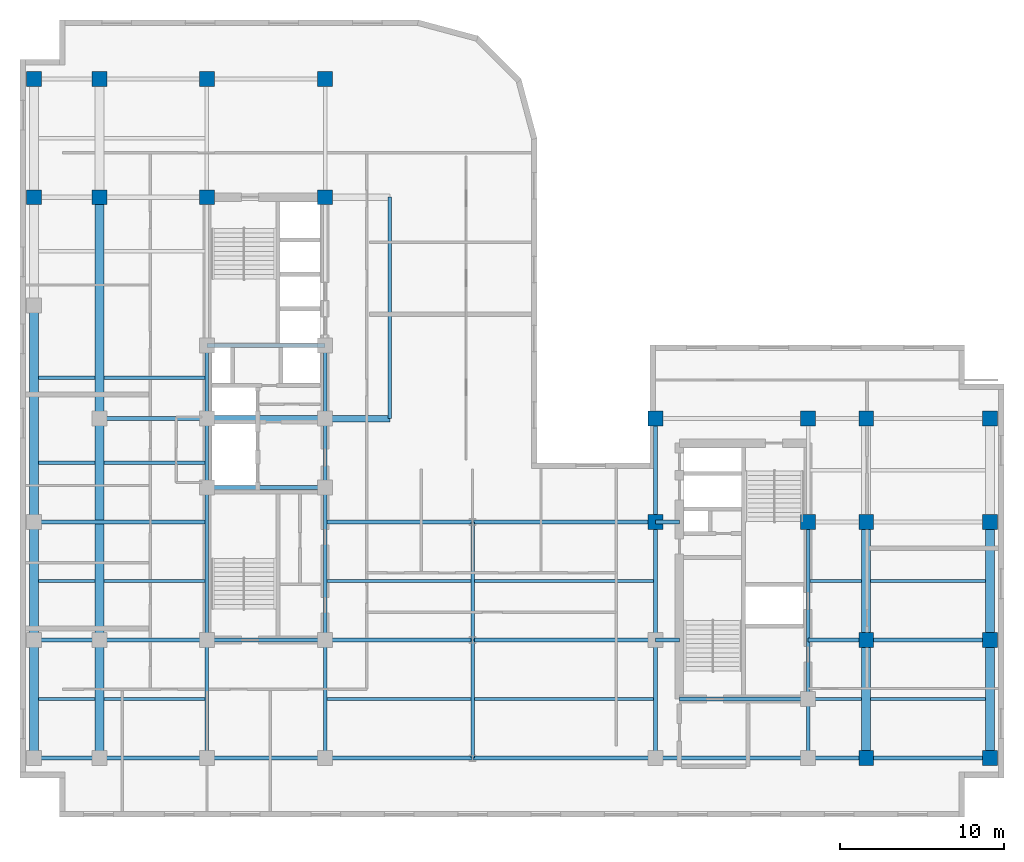
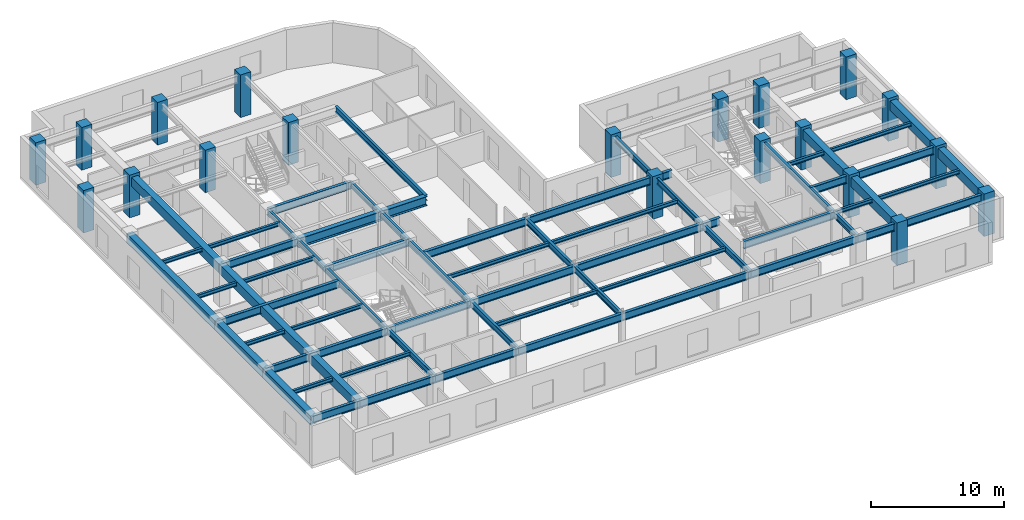
# One storey, part 2 of 11: 67 beams, 20 columns.
"""IFC4 building model written with IfcOpenShell, lengths in metres."""

from ifc_helpers import new_model, entity, si_unit, converted_unit, direction, frame, origin_with_axes, origin_2d_with_axis, place, context, subcontext, project, spatial, rectangle, i_section, extrude, material, material_profile, profile_set, type_object, element, save


model = new_model("IFC4")

# Units and contexts
model_context = context("Model", 3, precision=1e-05, world=origin_with_axes(), true_north=direction((0.0, 1.0)))
body_context = subcontext(model_context, "Body", "Model", "MODEL_VIEW")
ifc_project = project(units=[si_unit("LENGTHUNIT", "METRE"), si_unit("AREAUNIT", "SQUARE_METRE"), si_unit("VOLUMEUNIT", "CUBIC_METRE"), converted_unit("PLANEANGLEUNIT", "DEGREE", entity("IfcPlaneAngleMeasure", 0.017453292519943295), si_unit("PLANEANGLEUNIT", "RADIAN"), dimensions=[0, 0, 0, 0, 0, 0, 0]), si_unit("MASSUNIT", "GRAM", prefix="KILO"), si_unit("THERMODYNAMICTEMPERATUREUNIT", "KELVIN")], contexts=[model_context])

# Site, building, storey
site_placement = place(None, origin_with_axes())
site = spatial("IfcSite", under=ifc_project, at=site_placement, CompositionType="ELEMENT")
building_placement = place(site_placement, origin_with_axes())
building = spatial("IfcBuilding", under=site, at=building_placement, Name="Varnlund Millrace Tower", CompositionType="ELEMENT")
storey_placement = place(building_placement, frame((0.0, 0.0, 212.1), z_axis=(0.0, 0.0, 1.0), x_axis=(1.0, 0.0, 0.0)))
storey = spatial("IfcBuildingStorey", under=building, at=storey_placement, Name="L52", CompositionType="ELEMENT", Elevation=212.1)

# Columns
ifc_material_1 = material(Name="Concrete C70/85", Category="concrete")
ifc_material_profile_1 = material_profile(ifc_material_1, rectangle(XDim=0.9, YDim=0.9, at=origin_2d_with_axis()), Name="Concrete C70/85")
ifc_profile_set_1 = profile_set([ifc_material_profile_1], Name="Concrete C70/85")
column_type = type_object("IfcColumnType", Name="Type-Col-RC900-C70", PredefinedType="COLUMN", material=ifc_profile_set_1)
for number, where, z_axis, x_axis, name in (
    (1, (11.4, 37.8, 0.0), (0.0, 0.0, 1.0), (1.0, 0.0, 0.0), "Type-Col-RC900-C70"),
    (2, (11.4, 45.0, 0.0), (0.0, 0.0, 1.0), (1.0, 0.0, 0.0), "Type-Col-RC900-C70"),
    (3, (18.6, 37.8, 0.0), (0.0, 0.0, 1.0), (1.0, 0.0, 0.0), "Type-Col-RC900-C70"),
    (4, (18.6, 45.0, 0.0), (0.0, 0.0, 1.0), (1.0, 0.0, 0.0), "Type-Col-RC900-C70"),
    (5, (4.85, 37.8, 0.0), (0.0, 0.0, 1.0), (1.0, 0.0, 0.0), "Type-Col-RC900-C70"),
    (6, (4.85, 45.0, 0.0), (0.0, 0.0, 1.0), (1.0, 0.0, 0.0), "Type-Col-RC900-C70"),
    (7, (0.85, 37.8, 0.0), (0.0, 0.0, 1.0), (1.0, 0.0, 0.0), "Type-Col-RC900-C70"),
    (8, (0.85, 45.0, 0.0), (0.0, 0.0, 1.0), (1.0, 0.0, 0.0), "Type-Col-RC900-C70"),
    (9, (38.75, 18.0, 0.0), (0.0, 0.0, 1.0), (1.0, 0.0, 0.0), "Type-Col-RC900-C70"),
    (10, (38.75, 24.3, 0.0), (0.0, 0.0, 1.0), (1.0, 0.0, 0.0), "Type-Col-RC900-C70"),
    (11, (48.05, 18.0, 0.0), (0.0, 0.0, 1.0), (1.0, 0.0, 0.0), "Type-Col-RC900-C70"),
    (12, (48.05, 24.3, 0.0), (0.0, 0.0, 1.0), (1.0, 0.0, 0.0), "Type-Col-RC900-C70"),
    (13, (51.6, 3.6, 0.0), (0.0, 0.0, 1.0), (1.0, 0.0, 0.0), "Type-Col-RC900-C70"),
    (14, (51.6, 10.8, 0.0), (0.0, 0.0, 1.0), (1.0, 0.0, 0.0), "Type-Col-RC900-C70"),
    (15, (51.6, 18.0, 0.0), (0.0, 0.0, 1.0), (1.0, 0.0, 0.0), "Type-Col-RC900-C70"),
    (16, (51.6, 24.3, 0.0), (0.0, 0.0, 1.0), (1.0, 0.0, 0.0), "Type-Col-RC900-C70"),
    (17, (59.15, 3.6, 0.0), (0.0, 0.0, 1.0), (1.0, 0.0, 0.0), "Type-Col-RC900-C70"),
    (18, (59.15, 10.8, 0.0), (0.0, 0.0, 1.0), (1.0, 0.0, 0.0), "Type-Col-RC900-C70"),
    (19, (59.15, 18.0, 0.0), (0.0, 0.0, 1.0), (1.0, 0.0, 0.0), "Type-Col-RC900-C70"),
    (20, (59.15, 24.3, 0.0), (0.0, 0.0, 1.0), (1.0, 0.0, 0.0), "Type-Col-RC900-C70"),
):
    element("IfcColumn", number, at=place(storey_placement, frame(where, z_axis=z_axis, x_axis=x_axis)), inside=storey, type_object=column_type, Name=name, PredefinedType="COLUMN", context=body_context, shape_type="SweptSolid", body=[
        extrude(rectangle(XDim=0.9, YDim=0.9, at=origin_2d_with_axis()), origin_with_axes(), (0.0, 0.0, 1.0), 3.9),
    ])

# Beams
ifc_material_2 = material(Name="Steel ASTM A992 Grade 50", Category="steel")
ifc_material_profile_2 = material_profile(ifc_material_2, i_section(OverallWidth=0.209, OverallDepth=0.533, WebThickness=0.0102, FlangeThickness=0.0156, FilletRadius=0.014, at=origin_2d_with_axis()), Name="Steel ASTM A992 Grade 50")
ifc_profile_set_2 = profile_set([ifc_material_profile_2], Name="Steel ASTM A992 Grade 50")
beam_type_1 = type_object("IfcBeamType", Name="Type-Beam-W21X62", PredefinedType="BEAM", material=ifc_profile_set_2)
beam_1_placement = place(storey_placement, frame((22.55, 24.3, 3.3935), z_axis=(0.0, 1.0, 0.0), x_axis=(-1.0, 0.0, 0.0)))
element("IfcBeam", 21, at=beam_1_placement, inside=storey, type_object=beam_type_1, Name="Type-Beam-W21X62", PredefinedType="BEAM", context=body_context, shape_type="SweptSolid", body=[
    extrude(i_section(OverallWidth=0.209, OverallDepth=0.533, WebThickness=0.0102, FlangeThickness=0.0156, FilletRadius=0.014, at=origin_2d_with_axis()), origin_with_axes(), (0.0, 0.0, 1.0), 13.5),
])
ifc_material_profile_3 = material_profile(ifc_material_2, i_section(OverallWidth=0.214, OverallDepth=0.549, WebThickness=0.0147, FlangeThickness=0.0236, FilletRadius=0.015, at=origin_2d_with_axis()), Name="Steel ASTM A992 Grade 50")
ifc_profile_set_3 = profile_set([ifc_material_profile_3], Name="Steel ASTM A992 Grade 50")
beam_type_2 = type_object("IfcBeamType", Name="Type-Beam-W21X93", PredefinedType="BEAM", material=ifc_profile_set_3)
beam_2_placement = place(storey_placement, frame((11.4, 3.6, 3.3855), z_axis=(0.0, 1.0, 0.0), x_axis=(-1.0, 0.0, 0.0)))
element("IfcBeam", 22, at=beam_2_placement, inside=storey, type_object=beam_type_2, Name="Type-Beam-W21X93", PredefinedType="BEAM", context=body_context, shape_type="SweptSolid", body=[
    extrude(i_section(OverallWidth=0.214, OverallDepth=0.549, WebThickness=0.0147, FlangeThickness=0.0236, FilletRadius=0.015, at=origin_2d_with_axis()), origin_with_axes(), (0.0, 0.0, 1.0), 7.2),
])
beam_3_placement = place(storey_placement, frame((11.4, 10.8, 3.3855), z_axis=(0.0, 1.0, 0.0), x_axis=(-1.0, 0.0, 0.0)))
element("IfcBeam", 23, at=beam_3_placement, inside=storey, type_object=beam_type_2, Name="Type-Beam-W21X93", PredefinedType="BEAM", context=body_context, shape_type="SweptSolid", body=[
    extrude(i_section(OverallWidth=0.214, OverallDepth=0.549, WebThickness=0.0147, FlangeThickness=0.0236, FilletRadius=0.015, at=origin_2d_with_axis()), origin_with_axes(), (0.0, 0.0, 1.0), 9.3),
])
beam_4_placement = place(storey_placement, frame((11.4, 20.1, 3.3855), z_axis=(0.0, 1.0, 0.0), x_axis=(-1.0, 0.0, 0.0)))
element("IfcBeam", 24, at=beam_4_placement, inside=storey, type_object=beam_type_2, Name="Type-Beam-W21X93", PredefinedType="BEAM", context=body_context, shape_type="SweptSolid", body=[
    extrude(i_section(OverallWidth=0.214, OverallDepth=0.549, WebThickness=0.0147, FlangeThickness=0.0236, FilletRadius=0.015, at=origin_2d_with_axis()), origin_with_axes(), (0.0, 0.0, 1.0), 4.2),
])
beam_5_placement = place(storey_placement, frame((11.4, 24.3, 3.3855), z_axis=(0.0, 1.0, 0.0), x_axis=(-1.0, 0.0, 0.0)))
element("IfcBeam", 25, at=beam_5_placement, inside=storey, type_object=beam_type_2, Name="Type-Beam-W21X93", PredefinedType="BEAM", context=body_context, shape_type="SweptSolid", body=[
    extrude(i_section(OverallWidth=0.214, OverallDepth=0.549, WebThickness=0.0147, FlangeThickness=0.0236, FilletRadius=0.015, at=origin_2d_with_axis()), origin_with_axes(), (0.0, 0.0, 1.0), 4.45),
])
beam_6_placement = place(storey_placement, frame((18.6, 3.6, 3.3855), z_axis=(0.0, 1.0, 0.0), x_axis=(-1.0, 0.0, 0.0)))
element("IfcBeam", 26, at=beam_6_placement, inside=storey, type_object=beam_type_2, Name="Type-Beam-W21X93", PredefinedType="BEAM", context=body_context, shape_type="SweptSolid", body=[
    extrude(i_section(OverallWidth=0.214, OverallDepth=0.549, WebThickness=0.0147, FlangeThickness=0.0236, FilletRadius=0.015, at=origin_2d_with_axis()), origin_with_axes(), (0.0, 0.0, 1.0), 7.2),
])
beam_7_placement = place(storey_placement, frame((18.6, 10.8, 3.3855), z_axis=(0.0, 1.0, 0.0), x_axis=(-1.0, 0.0, 0.0)))
element("IfcBeam", 27, at=beam_7_placement, inside=storey, type_object=beam_type_2, Name="Type-Beam-W21X93", PredefinedType="BEAM", context=body_context, shape_type="SweptSolid", body=[
    extrude(i_section(OverallWidth=0.214, OverallDepth=0.549, WebThickness=0.0147, FlangeThickness=0.0236, FilletRadius=0.015, at=origin_2d_with_axis()), origin_with_axes(), (0.0, 0.0, 1.0), 9.3),
])
beam_8_placement = place(storey_placement, frame((18.6, 20.1, 3.3855), z_axis=(0.0, 1.0, 0.0), x_axis=(-1.0, 0.0, 0.0)))
element("IfcBeam", 28, at=beam_8_placement, inside=storey, type_object=beam_type_2, Name="Type-Beam-W21X93", PredefinedType="BEAM", context=body_context, shape_type="SweptSolid", body=[
    extrude(i_section(OverallWidth=0.214, OverallDepth=0.549, WebThickness=0.0147, FlangeThickness=0.0236, FilletRadius=0.015, at=origin_2d_with_axis()), origin_with_axes(), (0.0, 0.0, 1.0), 4.2),
])
beam_9_placement = place(storey_placement, frame((18.6, 24.3, 3.3855), z_axis=(0.0, 1.0, 0.0), x_axis=(-1.0, 0.0, 0.0)))
element("IfcBeam", 29, at=beam_9_placement, inside=storey, type_object=beam_type_2, Name="Type-Beam-W21X93", PredefinedType="BEAM", context=body_context, shape_type="SweptSolid", body=[
    extrude(i_section(OverallWidth=0.214, OverallDepth=0.549, WebThickness=0.0147, FlangeThickness=0.0236, FilletRadius=0.015, at=origin_2d_with_axis()), origin_with_axes(), (0.0, 0.0, 1.0), 4.45),
])
for number, where, z_axis, x_axis, name in (
    (30, (27.6, 3.6, 3.3855), (0.0, 1.0, 0.0), (-1.0, 0.0, 0.0), "Type-Beam-W21X93"),
    (31, (27.6, 10.8, 3.3855), (0.0, 1.0, 0.0), (-1.0, 0.0, 0.0), "Type-Beam-W21X93"),
    (32, (38.75, 3.6, 3.3855), (0.0, 1.0, 0.0), (-1.0, 0.0, 0.0), "Type-Beam-W21X93"),
    (33, (38.75, 10.8, 3.3855), (0.0, 1.0, 0.0), (-1.0, 0.0, 0.0), "Type-Beam-W21X93"),
):
    element("IfcBeam", number, at=place(storey_placement, frame(where, z_axis=z_axis, x_axis=x_axis)), inside=storey, type_object=beam_type_2, Name=name, PredefinedType="BEAM", context=body_context, shape_type="SweptSolid", body=[
        extrude(i_section(OverallWidth=0.214, OverallDepth=0.549, WebThickness=0.0147, FlangeThickness=0.0236, FilletRadius=0.015, at=origin_2d_with_axis()), origin_with_axes(), (0.0, 0.0, 1.0), 7.2),
    ])
beam_10_placement = place(storey_placement, frame((38.75, 18.0, 3.3855), z_axis=(0.0, 1.0, 0.0), x_axis=(-1.0, 0.0, 0.0)))
element("IfcBeam", 34, at=beam_10_placement, inside=storey, type_object=beam_type_2, Name="Type-Beam-W21X93", PredefinedType="BEAM", context=body_context, shape_type="SweptSolid", body=[
    extrude(i_section(OverallWidth=0.214, OverallDepth=0.549, WebThickness=0.0147, FlangeThickness=0.0236, FilletRadius=0.015, at=origin_2d_with_axis()), origin_with_axes(), (0.0, 0.0, 1.0), 6.3),
])
beam_11_placement = place(storey_placement, frame((48.05, 3.6, 3.3855), z_axis=(0.0, 1.0, 0.0), x_axis=(-1.0, 0.0, 0.0)))
element("IfcBeam", 35, at=beam_11_placement, inside=storey, type_object=beam_type_2, Name="Type-Beam-W21X93", PredefinedType="BEAM", context=body_context, shape_type="SweptSolid", body=[
    extrude(i_section(OverallWidth=0.214, OverallDepth=0.549, WebThickness=0.0147, FlangeThickness=0.0236, FilletRadius=0.015, at=origin_2d_with_axis()), origin_with_axes(), (0.0, 0.0, 1.0), 3.6),
])
beam_12_placement = place(storey_placement, frame((48.05, 7.2, 3.3855), z_axis=(0.0, 1.0, 0.0), x_axis=(-1.0, 0.0, 0.0)))
element("IfcBeam", 36, at=beam_12_placement, inside=storey, type_object=beam_type_2, Name="Type-Beam-W21X93", PredefinedType="BEAM", context=body_context, shape_type="SweptSolid", body=[
    extrude(i_section(OverallWidth=0.214, OverallDepth=0.549, WebThickness=0.0147, FlangeThickness=0.0236, FilletRadius=0.015, at=origin_2d_with_axis()), origin_with_axes(), (0.0, 0.0, 1.0), 10.8),
])
ifc_material_profile_4 = material_profile(ifc_material_2, i_section(OverallWidth=0.256, OverallDepth=0.693, WebThickness=0.0145, FlangeThickness=0.0236, FilletRadius=0.018, at=origin_2d_with_axis()), Name="Steel ASTM A992 Grade 50")
ifc_profile_set_4 = profile_set([ifc_material_profile_4], Name="Steel ASTM A992 Grade 50")
beam_type_3 = type_object("IfcBeamType", Name="Type-Girder-W27X114", PredefinedType="USERDEFINED", material=ifc_profile_set_4)
beam_13_placement = place(storey_placement, frame((0.85, 3.6, 3.3135), z_axis=(1.0, 0.0, 0.0), x_axis=(0.0, 1.0, 0.0)))
element("IfcBeam", 37, at=beam_13_placement, inside=storey, type_object=beam_type_3, Name="Type-Girder-W27X114", ObjectType="GIRDER", PredefinedType="USERDEFINED", context=body_context, shape_type="SweptSolid", body=[
    extrude(i_section(OverallWidth=0.256, OverallDepth=0.693, WebThickness=0.0145, FlangeThickness=0.0236, FilletRadius=0.018, at=origin_2d_with_axis()), origin_with_axes(), (0.0, 0.0, 1.0), 4.0),
])
beam_14_placement = place(storey_placement, frame((4.85, 3.6, 3.3135), z_axis=(1.0, 0.0, 0.0), x_axis=(0.0, 1.0, 0.0)))
element("IfcBeam", 38, at=beam_14_placement, inside=storey, type_object=beam_type_3, Name="Type-Girder-W27X114", ObjectType="GIRDER", PredefinedType="USERDEFINED", context=body_context, shape_type="SweptSolid", body=[
    extrude(i_section(OverallWidth=0.256, OverallDepth=0.693, WebThickness=0.0145, FlangeThickness=0.0236, FilletRadius=0.018, at=origin_2d_with_axis()), origin_with_axes(), (0.0, 0.0, 1.0), 6.55),
])
beam_15_placement = place(storey_placement, frame((11.4, 3.6, 3.3135), z_axis=(1.0, 0.0, 0.0), x_axis=(0.0, 1.0, 0.0)))
element("IfcBeam", 39, at=beam_15_placement, inside=storey, type_object=beam_type_3, Name="Type-Girder-W27X114", ObjectType="GIRDER", PredefinedType="USERDEFINED", context=body_context, shape_type="SweptSolid", body=[
    extrude(i_section(OverallWidth=0.256, OverallDepth=0.693, WebThickness=0.0145, FlangeThickness=0.0236, FilletRadius=0.018, at=origin_2d_with_axis()), origin_with_axes(), (0.0, 0.0, 1.0), 7.2),
])
beam_16_placement = place(storey_placement, frame((18.6, 3.6, 3.3135), z_axis=(1.0, 0.0, 0.0), x_axis=(0.0, 1.0, 0.0)))
element("IfcBeam", 40, at=beam_16_placement, inside=storey, type_object=beam_type_3, Name="Type-Girder-W27X114", ObjectType="GIRDER", PredefinedType="USERDEFINED", context=body_context, shape_type="SweptSolid", body=[
    extrude(i_section(OverallWidth=0.256, OverallDepth=0.693, WebThickness=0.0145, FlangeThickness=0.0236, FilletRadius=0.018, at=origin_2d_with_axis()), origin_with_axes(), (0.0, 0.0, 1.0), 9.0),
])
beam_17_placement = place(storey_placement, frame((27.6, 3.6, 3.3135), z_axis=(1.0, 0.0, 0.0), x_axis=(0.0, 1.0, 0.0)))
element("IfcBeam", 41, at=beam_17_placement, inside=storey, type_object=beam_type_3, Name="Type-Girder-W27X114", ObjectType="GIRDER", PredefinedType="USERDEFINED", context=body_context, shape_type="SweptSolid", body=[
    extrude(i_section(OverallWidth=0.256, OverallDepth=0.693, WebThickness=0.0145, FlangeThickness=0.0236, FilletRadius=0.018, at=origin_2d_with_axis()), origin_with_axes(), (0.0, 0.0, 1.0), 11.15),
])
beam_18_placement = place(storey_placement, frame((38.75, 3.6, 3.3135), z_axis=(1.0, 0.0, 0.0), x_axis=(0.0, 1.0, 0.0)))
element("IfcBeam", 42, at=beam_18_placement, inside=storey, type_object=beam_type_3, Name="Type-Girder-W27X114", ObjectType="GIRDER", PredefinedType="USERDEFINED", context=body_context, shape_type="SweptSolid", body=[
    extrude(i_section(OverallWidth=0.256, OverallDepth=0.693, WebThickness=0.0145, FlangeThickness=0.0236, FilletRadius=0.018, at=origin_2d_with_axis()), origin_with_axes(), (0.0, 0.0, 1.0), 9.3),
])
beam_19_placement = place(storey_placement, frame((48.05, 3.6, 3.3135), z_axis=(1.0, 0.0, 0.0), x_axis=(0.0, 1.0, 0.0)))
element("IfcBeam", 43, at=beam_19_placement, inside=storey, type_object=beam_type_3, Name="Type-Girder-W27X114", ObjectType="GIRDER", PredefinedType="USERDEFINED", context=body_context, shape_type="SweptSolid", body=[
    extrude(i_section(OverallWidth=0.256, OverallDepth=0.693, WebThickness=0.0145, FlangeThickness=0.0236, FilletRadius=0.018, at=origin_2d_with_axis()), origin_with_axes(), (0.0, 0.0, 1.0), 3.55),
])
beam_20_placement = place(storey_placement, frame((51.6, 3.6, 3.3135), z_axis=(1.0, 0.0, 0.0), x_axis=(0.0, 1.0, 0.0)))
element("IfcBeam", 44, at=beam_20_placement, inside=storey, type_object=beam_type_3, Name="Type-Girder-W27X114", ObjectType="GIRDER", PredefinedType="USERDEFINED", context=body_context, shape_type="SweptSolid", body=[
    extrude(i_section(OverallWidth=0.256, OverallDepth=0.693, WebThickness=0.0145, FlangeThickness=0.0236, FilletRadius=0.018, at=origin_2d_with_axis()), origin_with_axes(), (0.0, 0.0, 1.0), 7.55),
])
beam_21_placement = place(storey_placement, frame((40.2, 7.2, 3.3135), z_axis=(1.0, 0.0, 0.0), x_axis=(0.0, 1.0, 0.0)))
element("IfcBeam", 45, at=beam_21_placement, inside=storey, type_object=beam_type_3, Name="Type-Girder-W27X114", ObjectType="GIRDER", PredefinedType="USERDEFINED", context=body_context, shape_type="SweptSolid", body=[
    extrude(i_section(OverallWidth=0.256, OverallDepth=0.693, WebThickness=0.0145, FlangeThickness=0.0236, FilletRadius=0.018, at=origin_2d_with_axis()), origin_with_axes(), (0.0, 0.0, 1.0), 7.85),
])
beam_22_placement = place(storey_placement, frame((0.85, 10.8, 3.3135), z_axis=(1.0, 0.0, 0.0), x_axis=(0.0, 1.0, 0.0)))
element("IfcBeam", 46, at=beam_22_placement, inside=storey, type_object=beam_type_3, Name="Type-Girder-W27X114", ObjectType="GIRDER", PredefinedType="USERDEFINED", context=body_context, shape_type="SweptSolid", body=[
    extrude(i_section(OverallWidth=0.256, OverallDepth=0.693, WebThickness=0.0145, FlangeThickness=0.0236, FilletRadius=0.018, at=origin_2d_with_axis()), origin_with_axes(), (0.0, 0.0, 1.0), 4.0),
])
beam_23_placement = place(storey_placement, frame((4.85, 10.8, 3.3135), z_axis=(1.0, 0.0, 0.0), x_axis=(0.0, 1.0, 0.0)))
element("IfcBeam", 47, at=beam_23_placement, inside=storey, type_object=beam_type_3, Name="Type-Girder-W27X114", ObjectType="GIRDER", PredefinedType="USERDEFINED", context=body_context, shape_type="SweptSolid", body=[
    extrude(i_section(OverallWidth=0.256, OverallDepth=0.693, WebThickness=0.0145, FlangeThickness=0.0236, FilletRadius=0.018, at=origin_2d_with_axis()), origin_with_axes(), (0.0, 0.0, 1.0), 6.55),
])
beam_24_placement = place(storey_placement, frame((11.4, 10.8, 3.3135), z_axis=(1.0, 0.0, 0.0), x_axis=(0.0, 1.0, 0.0)))
element("IfcBeam", 48, at=beam_24_placement, inside=storey, type_object=beam_type_3, Name="Type-Girder-W27X114", ObjectType="GIRDER", PredefinedType="USERDEFINED", context=body_context, shape_type="SweptSolid", body=[
    extrude(i_section(OverallWidth=0.256, OverallDepth=0.693, WebThickness=0.0145, FlangeThickness=0.0236, FilletRadius=0.018, at=origin_2d_with_axis()), origin_with_axes(), (0.0, 0.0, 1.0), 7.2),
])
beam_25_placement = place(storey_placement, frame((18.6, 10.8, 3.3135), z_axis=(1.0, 0.0, 0.0), x_axis=(0.0, 1.0, 0.0)))
element("IfcBeam", 49, at=beam_25_placement, inside=storey, type_object=beam_type_3, Name="Type-Girder-W27X114", ObjectType="GIRDER", PredefinedType="USERDEFINED", context=body_context, shape_type="SweptSolid", body=[
    extrude(i_section(OverallWidth=0.256, OverallDepth=0.693, WebThickness=0.0145, FlangeThickness=0.0236, FilletRadius=0.018, at=origin_2d_with_axis()), origin_with_axes(), (0.0, 0.0, 1.0), 9.0),
])
beam_26_placement = place(storey_placement, frame((27.6, 10.8, 3.3135), z_axis=(1.0, 0.0, 0.0), x_axis=(0.0, 1.0, 0.0)))
element("IfcBeam", 50, at=beam_26_placement, inside=storey, type_object=beam_type_3, Name="Type-Girder-W27X114", ObjectType="GIRDER", PredefinedType="USERDEFINED", context=body_context, shape_type="SweptSolid", body=[
    extrude(i_section(OverallWidth=0.256, OverallDepth=0.693, WebThickness=0.0145, FlangeThickness=0.0236, FilletRadius=0.018, at=origin_2d_with_axis()), origin_with_axes(), (0.0, 0.0, 1.0), 11.15),
])
beam_27_placement = place(storey_placement, frame((38.75, 10.8, 3.3135), z_axis=(1.0, 0.0, 0.0), x_axis=(0.0, 1.0, 0.0)))
element("IfcBeam", 51, at=beam_27_placement, inside=storey, type_object=beam_type_3, Name="Type-Girder-W27X114", ObjectType="GIRDER", PredefinedType="USERDEFINED", context=body_context, shape_type="SweptSolid", body=[
    extrude(i_section(OverallWidth=0.256, OverallDepth=0.693, WebThickness=0.0145, FlangeThickness=0.0236, FilletRadius=0.018, at=origin_2d_with_axis()), origin_with_axes(), (0.0, 0.0, 1.0), 1.45),
])
beam_28_placement = place(storey_placement, frame((48.05, 10.8, 3.3135), z_axis=(1.0, 0.0, 0.0), x_axis=(0.0, 1.0, 0.0)))
element("IfcBeam", 52, at=beam_28_placement, inside=storey, type_object=beam_type_3, Name="Type-Girder-W27X114", ObjectType="GIRDER", PredefinedType="USERDEFINED", context=body_context, shape_type="SweptSolid", body=[
    extrude(i_section(OverallWidth=0.256, OverallDepth=0.693, WebThickness=0.0145, FlangeThickness=0.0236, FilletRadius=0.018, at=origin_2d_with_axis()), origin_with_axes(), (0.0, 0.0, 1.0), 3.55),
])
beam_29_placement = place(storey_placement, frame((51.6, 10.8, 3.3135), z_axis=(1.0, 0.0, 0.0), x_axis=(0.0, 1.0, 0.0)))
element("IfcBeam", 53, at=beam_29_placement, inside=storey, type_object=beam_type_3, Name="Type-Girder-W27X114", ObjectType="GIRDER", PredefinedType="USERDEFINED", context=body_context, shape_type="SweptSolid", body=[
    extrude(i_section(OverallWidth=0.256, OverallDepth=0.693, WebThickness=0.0145, FlangeThickness=0.0236, FilletRadius=0.018, at=origin_2d_with_axis()), origin_with_axes(), (0.0, 0.0, 1.0), 7.55),
])
beam_30_placement = place(storey_placement, frame((0.85, 18.0, 3.3135), z_axis=(1.0, 0.0, 0.0), x_axis=(0.0, 1.0, 0.0)))
element("IfcBeam", 54, at=beam_30_placement, inside=storey, type_object=beam_type_3, Name="Type-Girder-W27X114", ObjectType="GIRDER", PredefinedType="USERDEFINED", context=body_context, shape_type="SweptSolid", body=[
    extrude(i_section(OverallWidth=0.256, OverallDepth=0.693, WebThickness=0.0145, FlangeThickness=0.0236, FilletRadius=0.018, at=origin_2d_with_axis()), origin_with_axes(), (0.0, 0.0, 1.0), 10.55),
])
beam_31_placement = place(storey_placement, frame((18.6, 18.0, 3.3135), z_axis=(1.0, 0.0, 0.0), x_axis=(0.0, 1.0, 0.0)))
element("IfcBeam", 55, at=beam_31_placement, inside=storey, type_object=beam_type_3, Name="Type-Girder-W27X114", ObjectType="GIRDER", PredefinedType="USERDEFINED", context=body_context, shape_type="SweptSolid", body=[
    extrude(i_section(OverallWidth=0.256, OverallDepth=0.693, WebThickness=0.0145, FlangeThickness=0.0236, FilletRadius=0.018, at=origin_2d_with_axis()), origin_with_axes(), (0.0, 0.0, 1.0), 9.0),
])
beam_32_placement = place(storey_placement, frame((27.6, 18.0, 3.3135), z_axis=(1.0, 0.0, 0.0), x_axis=(0.0, 1.0, 0.0)))
element("IfcBeam", 56, at=beam_32_placement, inside=storey, type_object=beam_type_3, Name="Type-Girder-W27X114", ObjectType="GIRDER", PredefinedType="USERDEFINED", context=body_context, shape_type="SweptSolid", body=[
    extrude(i_section(OverallWidth=0.256, OverallDepth=0.693, WebThickness=0.0145, FlangeThickness=0.0236, FilletRadius=0.018, at=origin_2d_with_axis()), origin_with_axes(), (0.0, 0.0, 1.0), 11.15),
])
beam_33_placement = place(storey_placement, frame((38.75, 18.0, 3.3135), z_axis=(1.0, 0.0, 0.0), x_axis=(0.0, 1.0, 0.0)))
element("IfcBeam", 57, at=beam_33_placement, inside=storey, type_object=beam_type_3, Name="Type-Girder-W27X114", ObjectType="GIRDER", PredefinedType="USERDEFINED", context=body_context, shape_type="SweptSolid", body=[
    extrude(i_section(OverallWidth=0.256, OverallDepth=0.693, WebThickness=0.0145, FlangeThickness=0.0236, FilletRadius=0.018, at=origin_2d_with_axis()), origin_with_axes(), (0.0, 0.0, 1.0), 1.45),
])
beam_34_placement = place(storey_placement, frame((11.4, 20.1, 3.3135), z_axis=(1.0, 0.0, 0.0), x_axis=(0.0, 1.0, 0.0)))
element("IfcBeam", 58, at=beam_34_placement, inside=storey, type_object=beam_type_3, Name="Type-Girder-W27X114", ObjectType="GIRDER", PredefinedType="USERDEFINED", context=body_context, shape_type="SweptSolid", body=[
    extrude(i_section(OverallWidth=0.256, OverallDepth=0.693, WebThickness=0.0145, FlangeThickness=0.0236, FilletRadius=0.018, at=origin_2d_with_axis()), origin_with_axes(), (0.0, 0.0, 1.0), 7.2),
])
beam_35_placement = place(storey_placement, frame((4.85, 24.3, 3.3135), z_axis=(1.0, 0.0, 0.0), x_axis=(0.0, 1.0, 0.0)))
element("IfcBeam", 59, at=beam_35_placement, inside=storey, type_object=beam_type_3, Name="Type-Girder-W27X114", ObjectType="GIRDER", PredefinedType="USERDEFINED", context=body_context, shape_type="SweptSolid", body=[
    extrude(i_section(OverallWidth=0.256, OverallDepth=0.693, WebThickness=0.0145, FlangeThickness=0.0236, FilletRadius=0.018, at=origin_2d_with_axis()), origin_with_axes(), (0.0, 0.0, 1.0), 6.55),
])
beam_36_placement = place(storey_placement, frame((11.4, 28.75, 3.3135), z_axis=(1.0, 0.0, 0.0), x_axis=(0.0, 1.0, 0.0)))
element("IfcBeam", 60, at=beam_36_placement, inside=storey, type_object=beam_type_3, Name="Type-Girder-W27X114", ObjectType="GIRDER", PredefinedType="USERDEFINED", context=body_context, shape_type="SweptSolid", body=[
    extrude(i_section(OverallWidth=0.256, OverallDepth=0.693, WebThickness=0.0145, FlangeThickness=0.0236, FilletRadius=0.018, at=origin_2d_with_axis()), origin_with_axes(), (0.0, 0.0, 1.0), 7.2),
])
ifc_material_profile_5 = material_profile(ifc_material_2, i_section(OverallWidth=0.399, OverallDepth=0.855, WebThickness=0.0182, FlangeThickness=0.0292, FilletRadius=0.022, at=origin_2d_with_axis()), Name="Steel ASTM A992 Grade 50")
ifc_profile_set_5 = profile_set([ifc_material_profile_5], Name="Steel ASTM A992 Grade 50")
beam_type_4 = type_object("IfcBeamType", Name="Type-Girder-W33X201", PredefinedType="USERDEFINED", material=ifc_profile_set_5)
beam_37_placement = place(storey_placement, frame((11.4, 24.3, 3.2325), z_axis=(1.0, 0.0, 0.0), x_axis=(0.0, 1.0, 0.0)))
element("IfcBeam", 61, at=beam_37_placement, inside=storey, type_object=beam_type_4, Name="Type-Girder-W33X201", ObjectType="GIRDER", PredefinedType="USERDEFINED", context=body_context, shape_type="SweptSolid", body=[
    extrude(i_section(OverallWidth=0.399, OverallDepth=0.855, WebThickness=0.0182, FlangeThickness=0.0292, FilletRadius=0.022, at=origin_2d_with_axis()), origin_with_axes(), (0.0, 0.0, 1.0), 11.15),
])
ifc_material_profile_6 = material_profile(ifc_material_2, i_section(OverallWidth=0.204, OverallDepth=0.35, WebThickness=0.0086, FlangeThickness=0.0151, FilletRadius=0.013, at=origin_2d_with_axis()), Name="Steel ASTM A992 Grade 50")
ifc_profile_set_6 = profile_set([ifc_material_profile_6], Name="Steel ASTM A992 Grade 50")
beam_type_5 = type_object("IfcBeamType", Name="Type-Joist-W14X48", PredefinedType="JOIST", material=ifc_profile_set_6)
for number, where, z_axis, x_axis, name in (
    (62, (1.125, 7.2, 3.485), (1.0, 0.0, 0.0), (0.0, 1.0, 0.0), "Type-Joist-W14X48"),
    (63, (1.125, 14.4, 3.485), (1.0, 0.0, 0.0), (0.0, 1.0, 0.0), "Type-Joist-W14X48"),
    (64, (1.125, 21.6, 3.485), (1.0, 0.0, 0.0), (0.0, 1.0, 0.0), "Type-Joist-W14X48"),
    (65, (1.125, 26.8, 3.485), (1.0, 0.0, 0.0), (0.0, 1.0, 0.0), "Type-Joist-W14X48"),
):
    element("IfcBeam", number, at=place(storey_placement, frame(where, z_axis=z_axis, x_axis=x_axis)), inside=storey, type_object=beam_type_5, Name=name, PredefinedType="JOIST", context=body_context, shape_type="SweptSolid", body=[
        extrude(i_section(OverallWidth=0.204, OverallDepth=0.35, WebThickness=0.0086, FlangeThickness=0.0151, FilletRadius=0.013, at=origin_2d_with_axis()), origin_with_axes(), (0.0, 0.0, 1.0), 3.45),
    ])
for number, where, z_axis, x_axis, name in (
    (66, (5.125, 7.2, 3.485), (1.0, 0.0, 0.0), (0.0, 1.0, 0.0), "Type-Joist-W14X48"),
    (67, (5.125, 14.4, 3.485), (1.0, 0.0, 0.0), (0.0, 1.0, 0.0), "Type-Joist-W14X48"),
    (68, (5.125, 21.6, 3.485), (1.0, 0.0, 0.0), (0.0, 1.0, 0.0), "Type-Joist-W14X48"),
    (69, (5.125, 26.8, 3.485), (1.0, 0.0, 0.0), (0.0, 1.0, 0.0), "Type-Joist-W14X48"),
):
    element("IfcBeam", number, at=place(storey_placement, frame(where, z_axis=z_axis, x_axis=x_axis)), inside=storey, type_object=beam_type_5, Name=name, PredefinedType="JOIST", context=body_context, shape_type="SweptSolid", body=[
        extrude(i_section(OverallWidth=0.204, OverallDepth=0.35, WebThickness=0.0086, FlangeThickness=0.0151, FilletRadius=0.013, at=origin_2d_with_axis()), origin_with_axes(), (0.0, 0.0, 1.0), 6.168),
    ])
for number, where, z_axis, x_axis, name in (
    (70, (48.157, 7.2, 3.485), (1.0, 0.0, 0.0), (0.0, 1.0, 0.0), "Type-Joist-W14X48"),
    (71, (48.157, 14.4, 3.485), (1.0, 0.0, 0.0), (0.0, 1.0, 0.0), "Type-Joist-W14X48"),
):
    element("IfcBeam", number, at=place(storey_placement, frame(where, z_axis=z_axis, x_axis=x_axis)), inside=storey, type_object=beam_type_5, Name=name, PredefinedType="JOIST", context=body_context, shape_type="SweptSolid", body=[
        extrude(i_section(OverallWidth=0.204, OverallDepth=0.35, WebThickness=0.0086, FlangeThickness=0.0151, FilletRadius=0.013, at=origin_2d_with_axis()), origin_with_axes(), (0.0, 0.0, 1.0), 3.168),
    ])
for number, where, z_axis, x_axis, name in (
    (72, (51.875, 7.2, 3.485), (1.0, 0.0, 0.0), (0.0, 1.0, 0.0), "Type-Joist-W14X48"),
    (73, (51.875, 14.4, 3.485), (1.0, 0.0, 0.0), (0.0, 1.0, 0.0), "Type-Joist-W14X48"),
):
    element("IfcBeam", number, at=place(storey_placement, frame(where, z_axis=z_axis, x_axis=x_axis)), inside=storey, type_object=beam_type_5, Name=name, PredefinedType="JOIST", context=body_context, shape_type="SweptSolid", body=[
        extrude(i_section(OverallWidth=0.204, OverallDepth=0.35, WebThickness=0.0086, FlangeThickness=0.0151, FilletRadius=0.013, at=origin_2d_with_axis()), origin_with_axes(), (0.0, 0.0, 1.0), 7.0),
    ])
for number, where, z_axis, x_axis, name in (
    (74, (18.707, 7.2, 3.485), (1.0, 0.0, 0.0), (0.0, 1.0, 0.0), "Type-Joist-W14X48"),
    (75, (18.707, 14.4, 3.485), (1.0, 0.0, 0.0), (0.0, 1.0, 0.0), "Type-Joist-W14X48"),
):
    element("IfcBeam", number, at=place(storey_placement, frame(where, z_axis=z_axis, x_axis=x_axis)), inside=storey, type_object=beam_type_5, Name=name, PredefinedType="JOIST", context=body_context, shape_type="SweptSolid", body=[
        extrude(i_section(OverallWidth=0.204, OverallDepth=0.35, WebThickness=0.0086, FlangeThickness=0.0151, FilletRadius=0.013, at=origin_2d_with_axis()), origin_with_axes(), (0.0, 0.0, 1.0), 8.786),
    ])
for number, where, z_axis, x_axis, name in (
    (76, (27.707, 7.2, 3.485), (1.0, 0.0, 0.0), (0.0, 1.0, 0.0), "Type-Joist-W14X48"),
    (77, (27.707, 14.4, 3.485), (1.0, 0.0, 0.0), (0.0, 1.0, 0.0), "Type-Joist-W14X48"),
):
    element("IfcBeam", number, at=place(storey_placement, frame(where, z_axis=z_axis, x_axis=x_axis)), inside=storey, type_object=beam_type_5, Name=name, PredefinedType="JOIST", context=body_context, shape_type="SweptSolid", body=[
        extrude(i_section(OverallWidth=0.204, OverallDepth=0.35, WebThickness=0.0086, FlangeThickness=0.0151, FilletRadius=0.013, at=origin_2d_with_axis()), origin_with_axes(), (0.0, 0.0, 1.0), 10.936),
    ])
ifc_material_3 = material(Name="Concrete C60/75", Category="concrete")
ifc_material_profile_7 = material_profile(ifc_material_3, rectangle(XDim=0.55, YDim=0.85, at=origin_2d_with_axis()), Name="Concrete C60/75")
ifc_profile_set_7 = profile_set([ifc_material_profile_7], Name="Concrete C60/75")
beam_type_6 = type_object("IfcBeamType", Name="Type-Spandrel-RC550X850", PredefinedType="SPANDREL", material=ifc_profile_set_7)
for number, where, z_axis, x_axis, name in (
    (78, (0.85, 3.6, 3.235), (0.0, 1.0, 0.0), (-1.0, 0.0, 0.0), "Type-Spandrel-RC550X850"),
    (79, (0.85, 10.8, 3.235), (0.0, 1.0, 0.0), (-1.0, 0.0, 0.0), "Type-Spandrel-RC550X850"),
):
    element("IfcBeam", number, at=place(storey_placement, frame(where, z_axis=z_axis, x_axis=x_axis)), inside=storey, type_object=beam_type_6, Name=name, PredefinedType="SPANDREL", context=body_context, shape_type="SweptSolid", body=[
        extrude(rectangle(XDim=0.55, YDim=0.85, at=origin_2d_with_axis()), origin_with_axes(), (0.0, 0.0, 1.0), 7.2),
    ])
beam_38_placement = place(storey_placement, frame((0.85, 18.0, 3.235), z_axis=(0.0, 1.0, 0.0), x_axis=(-1.0, 0.0, 0.0)))
element("IfcBeam", 80, at=beam_38_placement, inside=storey, type_object=beam_type_6, Name="Type-Spandrel-RC550X850", PredefinedType="SPANDREL", context=body_context, shape_type="SweptSolid", body=[
    extrude(rectangle(XDim=0.55, YDim=0.85, at=origin_2d_with_axis()), origin_with_axes(), (0.0, 0.0, 1.0), 13.2),
])
beam_39_placement = place(storey_placement, frame((4.85, 3.6, 3.235), z_axis=(0.0, 1.0, 0.0), x_axis=(-1.0, 0.0, 0.0)))
element("IfcBeam", 81, at=beam_39_placement, inside=storey, type_object=beam_type_6, Name="Type-Spandrel-RC550X850", PredefinedType="SPANDREL", context=body_context, shape_type="SweptSolid", body=[
    extrude(rectangle(XDim=0.55, YDim=0.85, at=origin_2d_with_axis()), origin_with_axes(), (0.0, 0.0, 1.0), 7.2),
])
for number, where, z_axis, x_axis, name in (
    (82, (4.85, 10.8, 3.235), (0.0, 1.0, 0.0), (-1.0, 0.0, 0.0), "Type-Spandrel-RC550X850"),
    (83, (4.85, 24.3, 3.235), (0.0, 1.0, 0.0), (-1.0, 0.0, 0.0), "Type-Spandrel-RC550X850"),
):
    element("IfcBeam", number, at=place(storey_placement, frame(where, z_axis=z_axis, x_axis=x_axis)), inside=storey, type_object=beam_type_6, Name=name, PredefinedType="SPANDREL", context=body_context, shape_type="SweptSolid", body=[
        extrude(rectangle(XDim=0.55, YDim=0.85, at=origin_2d_with_axis()), origin_with_axes(), (0.0, 0.0, 1.0), 13.5),
    ])
for number, where, z_axis, x_axis, name in (
    (84, (51.6, 3.6, 3.235), (0.0, 1.0, 0.0), (-1.0, 0.0, 0.0), "Type-Spandrel-RC550X850"),
    (85, (51.6, 10.8, 3.235), (0.0, 1.0, 0.0), (-1.0, 0.0, 0.0), "Type-Spandrel-RC550X850"),
    (86, (59.15, 3.6, 3.235), (0.0, 1.0, 0.0), (-1.0, 0.0, 0.0), "Type-Spandrel-RC550X850"),
    (87, (59.15, 10.8, 3.235), (0.0, 1.0, 0.0), (-1.0, 0.0, 0.0), "Type-Spandrel-RC550X850"),
):
    element("IfcBeam", number, at=place(storey_placement, frame(where, z_axis=z_axis, x_axis=x_axis)), inside=storey, type_object=beam_type_6, Name=name, PredefinedType="SPANDREL", context=body_context, shape_type="SweptSolid", body=[
        extrude(rectangle(XDim=0.55, YDim=0.85, at=origin_2d_with_axis()), origin_with_axes(), (0.0, 0.0, 1.0), 7.2),
    ])

save(model, "model.ifc")
